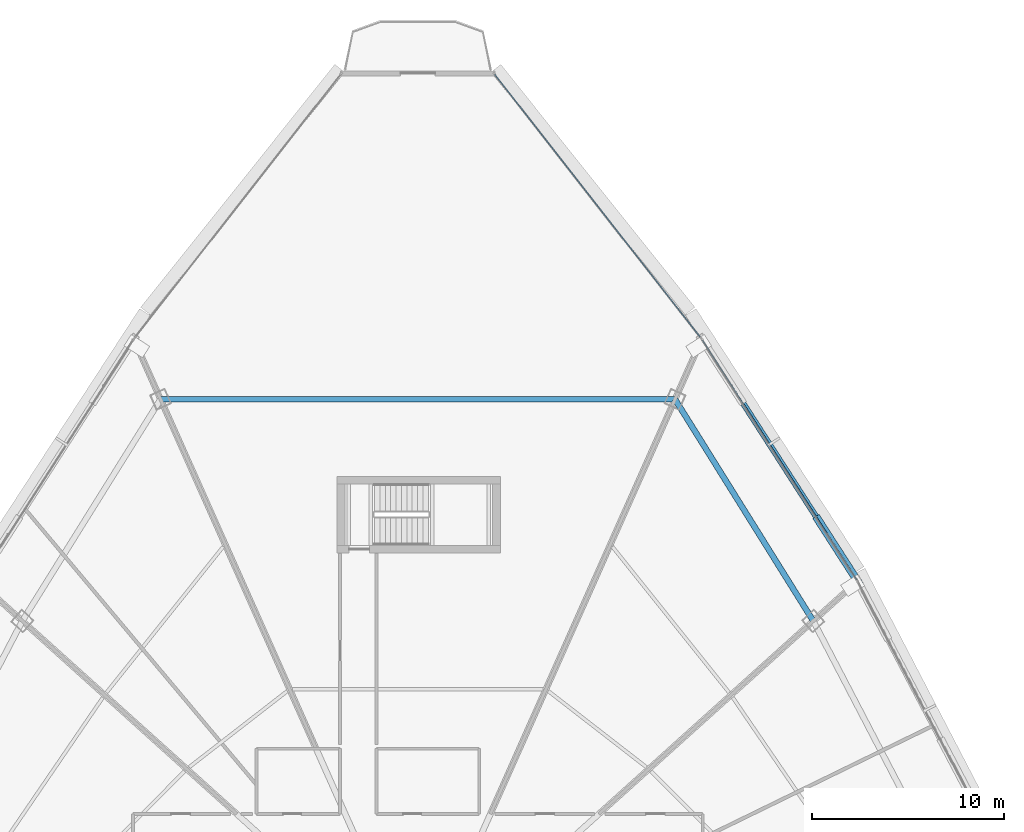
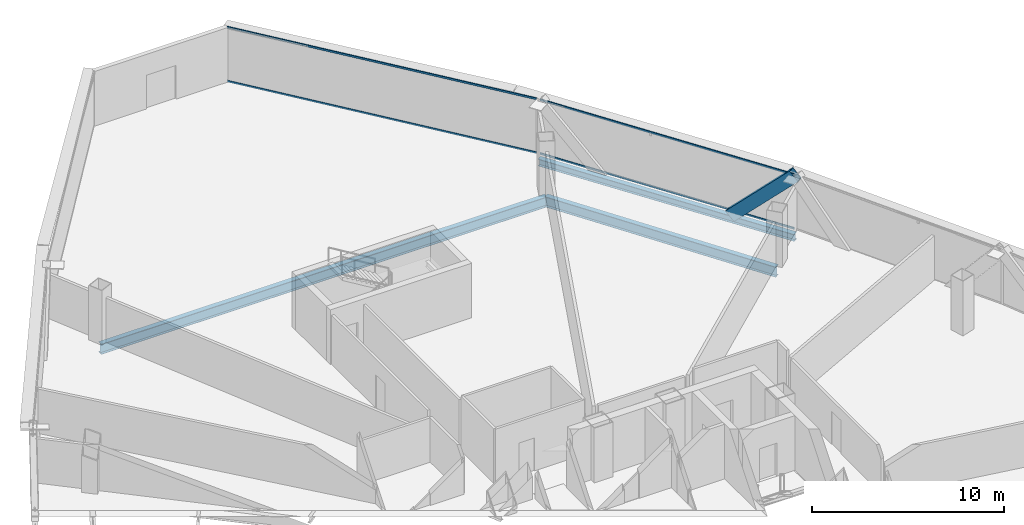
# One storey, part 19 of 35: 5 members, 3 beams, 2 elements without a shape of their own.
"""IFC4 building model written with IfcOpenShell, lengths in metres."""

from ifc_helpers import new_model, si_unit, direction, frame, origin, origin_2d, place, context, subcontext, project, spatial, hollow_rectangle, i_section, extrude, source, transform, mapped, material, layer, layer_set, material_profile, profile_set, type_object, element, aggregate, save


model = new_model("IFC4")

# Units and contexts
model_context = context("Model", 3, precision=1e-05, world=origin(), true_north=direction((0.0, 1.0)))
body_context = subcontext(model_context, "Body", "Model", "MODEL_VIEW")
ifc_project = project(units=[si_unit("LENGTHUNIT", "METRE"), si_unit("AREAUNIT", "SQUARE_METRE"), si_unit("VOLUMEUNIT", "CUBIC_METRE"), si_unit("PLANEANGLEUNIT", "RADIAN"), si_unit("MASSUNIT", "GRAM", prefix="KILO"), si_unit("THERMODYNAMICTEMPERATUREUNIT", "KELVIN"), si_unit("POWERUNIT", "WATT")], contexts=[model_context])

# Site, building, storey
site_placement = place(None, origin())
site = spatial("IfcSite", under=ifc_project, at=site_placement, CompositionType="ELEMENT")
building_placement = place(site_placement, origin())
building = spatial("IfcBuilding", under=site, at=building_placement, Name="Yunzhuo Pagoda Commons", CompositionType="ELEMENT")
storey_placement = place(building_placement, frame((0.0, 0.0, 237.070068359375)))
storey = spatial("IfcBuildingStorey", under=building, at=storey_placement, Name="L59", CompositionType="ELEMENT", Elevation=237.070068359375)

# Beams
ifc_material_1 = material(Name="Structural steel Q355B", Category="steel")
ifc_material_profile_1 = material_profile(ifc_material_1, i_section(OverallWidth=0.300048828125, OverallDepth=0.43994140625, WebThickness=0.010986328125, FlangeThickness=0.01806640625, at=origin_2d()), Name="Structural steel Q355B")
ifc_profile_set_1 = profile_set([ifc_material_profile_1], Name="Structural steel Q355B")
beam_type_1 = type_object("IfcBeamType", Name="B-SP2 Beam HM 440x300x11x18", PredefinedType="BEAM", material=ifc_profile_set_1)
shared_shape_1 = source(origin(), body_context, "Body", "SweptSolid", [
    extrude(i_section(OverallWidth=0.300048828125, OverallDepth=0.43994140625, WebThickness=0.010986328125, FlangeThickness=0.01806640625, at=origin_2d()), origin(), (0.0, 0.0, 1.0), 14.996826171875),
])
beam_1_placement = place(storey_placement, frame((70.92138671875, 54.33837890625, -0.47998046875), z_axis=(-0.541322723021, 0.840814908015, 0.0), x_axis=(-0.840814908015, -0.541322723021, 0.0)))
element("IfcBeam", 1, at=beam_1_placement, inside=storey, type_object=beam_type_1, Name="L59 facade edge spandrel beam F2.3", PredefinedType="BEAM", context=body_context, shape_type="MappedRepresentation", body=[
    mapped(shared_shape_1, transform((0.0, 0.0, 0.0), scale=1.0)),
])
ifc_material_profile_2 = material_profile(ifc_material_1, i_section(OverallWidth=0.300048828125, OverallDepth=0.64990234375, WebThickness=0.012939453125, FlangeThickness=0.02197265625, at=origin_2d()), Name="Structural steel Q355B")
ifc_profile_set_2 = profile_set([ifc_material_profile_2], Name="Structural steel Q355B")
beam_type_2 = type_object("IfcBeamType", Name="B-RG2 Beam HN 650x300x13x22", PredefinedType="BEAM", material=ifc_profile_set_2)
shared_shape_2 = source(origin(), body_context, "Body", "SweptSolid", [
    extrude(i_section(OverallWidth=0.300048828125, OverallDepth=0.64990234375, WebThickness=0.012939453125, FlangeThickness=0.02197265625, at=origin_2d()), origin(), (0.0, 0.0, 1.0), 13.615478515625),
])
beam_2_placement = place(storey_placement, frame((68.61181640625, 52.259033203125, -0.5849609375), z_axis=(-0.529178300485, 0.848510651846, 0.0), x_axis=(-0.848510651846, -0.529178300485, 0.0)))
element("IfcBeam", 2, at=beam_2_placement, inside=storey, type_object=beam_type_2, Name="L59 column-ring beam 7", PredefinedType="BEAM", context=body_context, shape_type="MappedRepresentation", body=[
    mapped(shared_shape_2, transform((0.0, 0.0, 0.0), scale=1.0)),
])
shared_shape_3 = source(origin(), body_context, "Body", "SweptSolid", [
    extrude(i_section(OverallWidth=0.300048828125, OverallDepth=0.64990234375, WebThickness=0.012939453125, FlangeThickness=0.02197265625, at=origin_2d()), origin(), (0.0, 0.0, 1.0), 26.8134765625),
])
beam_3_placement = place(storey_placement, frame((61.40673828125, 63.81201171875, -0.5849609375), z_axis=(-1.0, 0.0, 0.0), x_axis=(0.0, -1.0, 0.0)))
element("IfcBeam", 3, at=beam_3_placement, inside=storey, type_object=beam_type_2, Name="L59 column-ring beam 8", PredefinedType="BEAM", context=body_context, shape_type="MappedRepresentation", body=[
    mapped(shared_shape_3, transform((0.0, 0.0, 0.0), scale=1.0)),
])

# Member
ifc_material_profile_3 = material_profile(ifc_material_1, hollow_rectangle(XDim=0.39990234375, YDim=0.719970703125, WallThickness=0.02392578125, at=origin_2d()), Name="Structural steel Q355B")
ifc_profile_set_3 = profile_set([ifc_material_profile_3], Name="Structural steel Q355B")
member_type_1 = type_object("IfcMemberType", Name="M-DL2 Brace BOX 720x400x24", PredefinedType="BRACE", material=ifc_profile_set_3)
shared_shape_4 = source(origin(), body_context, "Body", "SweptSolid", [
    extrude(hollow_rectangle(XDim=0.39990234375, YDim=0.719970703125, WallThickness=0.02392578125, at=origin_2d()), origin(), (0.0, 0.0, 1.0), 5.288818359375),
])
member_1_placement = place(storey_placement, frame((68.891845703125, 57.490966796875, -0.260009765625), z_axis=(0.383748711328, -0.596096127677, 0.705270397169), x_axis=(0.840829218209, 0.541300494925, 0.0)))
element("IfcMember", 4, at=member_1_placement, inside=storey, type_object=member_type_1, Name="L59 facade diamond brace F2.3L", PredefinedType="BRACE", context=body_context, shape_type="MappedRepresentation", body=[
    mapped(shared_shape_4, transform((0.0, 0.0, 0.0), scale=1.0)),
])

# Curtain wall, members
ifc_material_2 = material(Name="Anodized aluminium 6063-T6", Category="aluminium")
ifc_layer = layer(ifc_material_2, 0.139892578125)
ifc_layer_set = layer_set([ifc_layer], Name="Anodized aluminium 6063-T6")
curtain_wall_type = type_object("IfcCurtainWallType", Name="CW-HI High-Zone Ribbon Curtain Wall", PredefinedType="NOTDEFINED", material=ifc_layer_set)
curtain_wall_1_placement = place(storey_placement, origin())
curtain_wall_1 = element("IfcCurtainWall", 5, at=curtain_wall_1_placement, inside=storey, type_object=curtain_wall_type, Name="L59 curtain wall CW-L59-F2B4", PredefinedType="NOTDEFINED")
ifc_material_profile_4 = material_profile(ifc_material_2, hollow_rectangle(XDim=0.054931640625, YDim=0.1201171875, WallThickness=0.00341796875, at=origin_2d()), Name="Anodized aluminium 6063-T6")
ifc_profile_set_4 = profile_set([ifc_material_profile_4], Name="Anodized aluminium 6063-T6")
member_type_2 = type_object("IfcMemberType", Name="CW-HI-T Transom RHS 120x55x3.5", PredefinedType="USERDEFINED", material=ifc_profile_set_4)
shared_shape_5 = source(origin(), body_context, "Body", "SweptSolid", [
    extrude(hollow_rectangle(XDim=0.054931640625, YDim=0.1201171875, WallThickness=0.00341796875, at=origin_2d()), origin(), (0.0, 0.0, 1.0), 14.877197265625),
])
member_2_placement = place(storey_placement, frame((70.888916015625, 54.388916015625, 0.02734375), z_axis=(-0.541333076232, 0.840808242453, 0.0), x_axis=(-0.840808242453, -0.541333076232, 0.0)))
member_2 = element("IfcMember", 6, at=member_2_placement, type_object=member_type_2, Name="CW transom 1.1", ObjectType="TRANSOM", PredefinedType="USERDEFINED", context=body_context, shape_type="MappedRepresentation", body=[
    mapped(shared_shape_5, transform((0.0, 0.0, 0.0), scale=1.0)),
])
member_3_placement = place(storey_placement, frame((70.888916015625, 54.388916015625, 3.4423828125), z_axis=(-0.541333076232, 0.840808242453, 0.0), x_axis=(-0.840808242453, -0.541333076232, 0.0)))
member_3 = element("IfcMember", 7, at=member_3_placement, type_object=member_type_2, Name="CW transom 1.2", ObjectType="TRANSOM", PredefinedType="USERDEFINED", context=body_context, shape_type="MappedRepresentation", body=[
    mapped(shared_shape_5, transform((0.0, 0.0, 0.0), scale=1.0)),
])
aggregate(curtain_wall_1, [member_2, member_3])

curtain_wall_2_placement = place(storey_placement, origin())
curtain_wall_2 = element("IfcCurtainWall", 8, at=curtain_wall_2_placement, inside=storey, type_object=curtain_wall_type, Name="L59 curtain wall CW-L59-F2B5", PredefinedType="NOTDEFINED")
shared_shape_6 = source(origin(), body_context, "Body", "SweptSolid", [
    extrude(hollow_rectangle(XDim=0.054931640625, YDim=0.1201171875, WallThickness=0.00341796875, at=origin_2d()), origin(), (0.0, 0.0, 1.0), 17.393798828125),
])
member_4_placement = place(storey_placement, frame((62.7197265625, 67.054443359375, 0.02734375), z_axis=(-0.616126582862, 0.787647150627, 0.0), x_axis=(-0.787647150627, -0.616126582862, 0.0)))
member_4 = element("IfcMember", 9, at=member_4_placement, type_object=member_type_2, Name="CW transom 1.1", ObjectType="TRANSOM", PredefinedType="USERDEFINED", context=body_context, shape_type="MappedRepresentation", body=[
    mapped(shared_shape_6, transform((0.0, 0.0, 0.0), scale=1.0)),
])
member_5_placement = place(storey_placement, frame((62.7197265625, 67.054443359375, 3.4423828125), z_axis=(-0.616126582862, 0.787647150627, 0.0), x_axis=(-0.787647150627, -0.616126582862, 0.0)))
member_5 = element("IfcMember", 10, at=member_5_placement, type_object=member_type_2, Name="CW transom 1.2", ObjectType="TRANSOM", PredefinedType="USERDEFINED", context=body_context, shape_type="MappedRepresentation", body=[
    mapped(shared_shape_6, transform((0.0, 0.0, 0.0), scale=1.0)),
])
aggregate(curtain_wall_2, [member_4, member_5])

save(model, "model.ifc")
